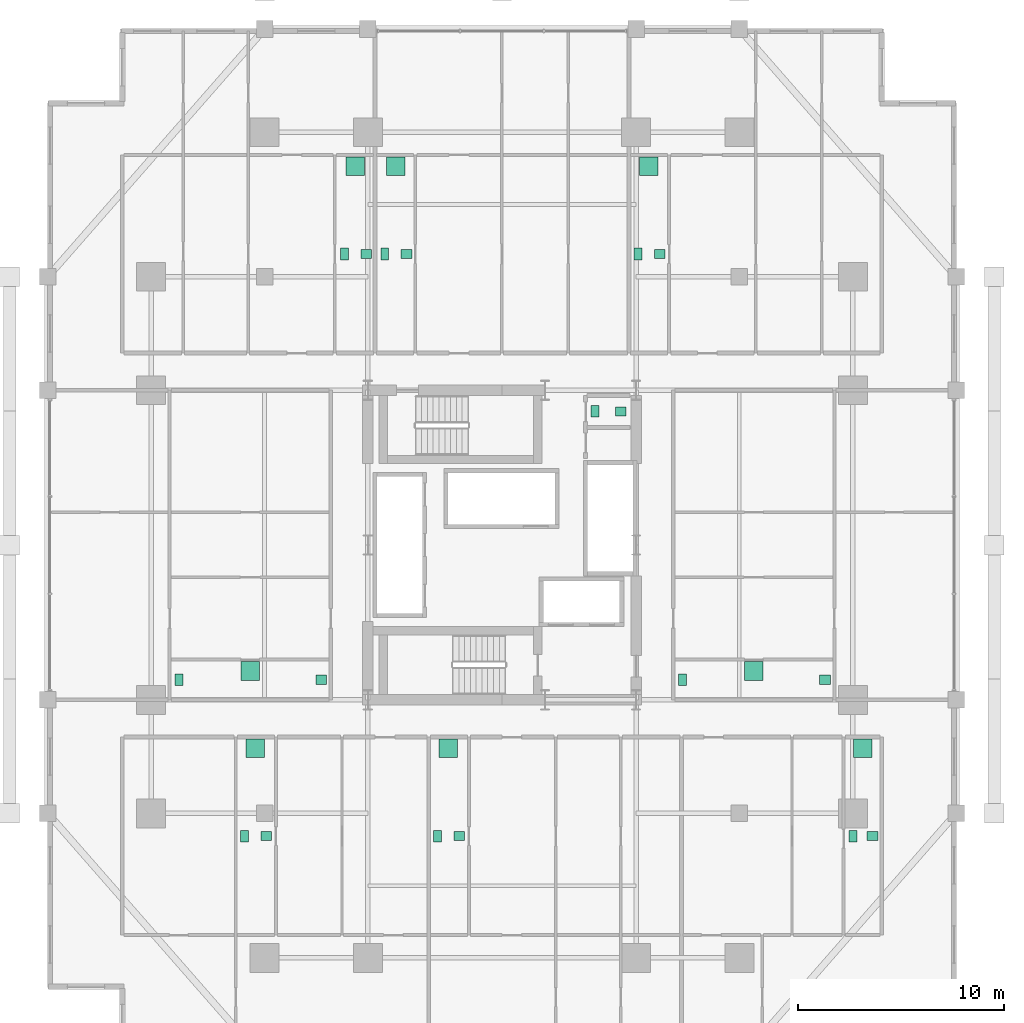
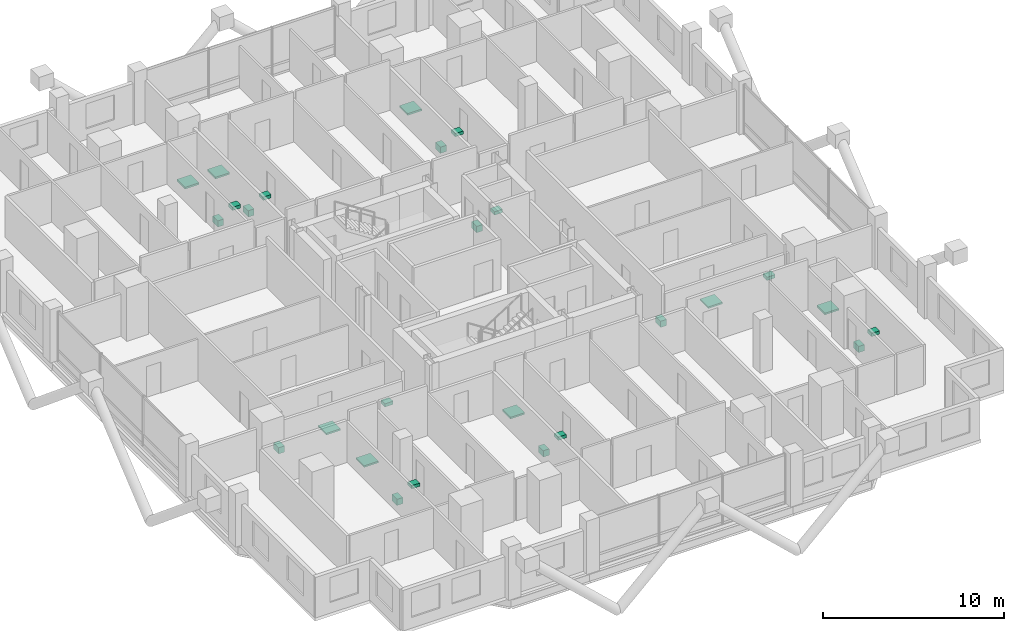
# One storey, part 24 of 24: 26 sanitary terminals.
"""IFC4 building model written with IfcOpenShell, lengths in metres."""

from ifc_helpers import new_model, si_unit, direction, frame, origin, origin_2d, place, context, subcontext, project, spatial, rectangle, extrude, material, type_object, element, save


model = new_model("IFC4")

# Units and contexts
model_context = context("Model", 3, precision=1e-05, world=origin(), true_north=direction((0.0, 1.0)))
body_context = subcontext(model_context, "Body", "Model", "MODEL_VIEW")
ifc_project = project(units=[si_unit("LENGTHUNIT", "METRE"), si_unit("AREAUNIT", "SQUARE_METRE"), si_unit("VOLUMEUNIT", "CUBIC_METRE"), si_unit("PLANEANGLEUNIT", "RADIAN"), si_unit("MASSUNIT", "GRAM", prefix="KILO")], contexts=[model_context])

# Site, building, storey
site_placement = place(None, origin())
site = spatial("IfcSite", under=ifc_project, at=site_placement, CompositionType="ELEMENT")
building_placement = place(site_placement, origin())
building = spatial("IfcBuilding", under=site, at=building_placement, Name="Barlavira Tower and Art Museum", CompositionType="ELEMENT")
storey_placement = place(building_placement, frame((0.0, 0.0, 46.800048828125)))
storey = spatial("IfcBuildingStorey", under=building, at=storey_placement, Name="L10", CompositionType="ELEMENT", Elevation=46.800048828125)

# Sanitary terminals
ifc_material = material(Name="Vitreous glazed ceramic", Category="ceramic")
sanitary_terminal_type_1 = type_object("IfcSanitaryTerminalType", Name="Countertop Ceramic Wash Hand Basin", PredefinedType="WASHHANDBASIN", material=ifc_material)
for number, where, z_axis, x_axis, name in (
    (1, (5.75, 6.47509765625, 0.73974609375), (0.0, 0.0, 1.0), (1.0, 0.0, 0.0), "L10-C-WC1 Wash Basin"),
    (2, (-11.419921875, -14.10009765625, 0.73974609375), (0.0, 0.0, 1.0), (1.0, 0.0, 0.0), "L10-S1-BTH1 Wash Basin"),
    (3, (-2.070068359375, -14.10009765625, 0.73974609375), (0.0, 0.0, 1.0), (1.0, 0.0, 0.0), "L10-S2-BTH1 Wash Basin"),
    (4, (17.949951171875, -14.10009765625, 0.73974609375), (0.0, 0.0, 1.0), (1.0, 0.0, 0.0), "L10-S3-BTH1 Wash Basin"),
    (5, (-6.580078125, 14.10009765625, 0.73974609375), (0.0, 0.0, 1.0), (1.0, 0.0, 0.0), "L10-N1-BTH1 Wash Basin"),
    (6, (-4.6298828125, 14.10009765625, 0.73974609375), (0.0, 0.0, 1.0), (1.0, 0.0, 0.0), "L10-N2-BTH1 Wash Basin"),
    (7, (7.639892578125, 14.10009765625, 0.73974609375), (0.0, 0.0, 1.0), (1.0, 0.0, 0.0), "L10-N3-BTH1 Wash Basin"),
    (8, (-8.75, -6.52490234375, 0.73974609375), (0.0, 0.0, 1.0), (1.0, 0.0, 0.0), "L10-W1-BTH1 Wash Basin"),
    (9, (15.64990234375, -6.52490234375, 0.73974609375), (0.0, 0.0, 1.0), (1.0, 0.0, 0.0), "L10-E1-BTH1 Wash Basin"),
):
    element("IfcSanitaryTerminal", number, at=place(storey_placement, frame(where, z_axis=z_axis, x_axis=x_axis)), inside=storey, type_object=sanitary_terminal_type_1, Name=name, PredefinedType="WASHHANDBASIN", context=body_context, shape_type="SweptSolid", body=[
        extrude(rectangle(XDim=0.52001953125, YDim=0.43994140625, at=origin_2d()), origin(), (0.0, 0.0, 1.0), 0.219970703125),
    ])
sanitary_terminal_type_2 = type_object("IfcSanitaryTerminalType", Name="Walk-In Thermostatic Rain Shower Unit", PredefinedType="SHOWER", material=ifc_material)
for number, where, z_axis, x_axis, name in (
    (10, (-11.945068359375, -9.85009765625, 0.0), (0.0, 0.0, 1.0), (1.0, 0.0, 0.0), "L10-S1-BTH1 Rain Shower"),
    (11, (-2.594970703125, -9.85009765625, 0.0), (0.0, 0.0, 1.0), (1.0, 0.0, 0.0), "L10-S2-BTH1 Rain Shower"),
    (12, (17.47998046875, -9.85009765625, 0.0), (0.0, 0.0, 1.0), (1.0, 0.0, 0.0), "L10-S3-BTH1 Rain Shower"),
    (13, (-7.10498046875, 18.35009765625, 0.0), (0.0, 0.0, 1.0), (1.0, 0.0, 0.0), "L10-N1-BTH1 Rain Shower"),
    (14, (-5.155029296875, 18.35009765625, 0.0), (0.0, 0.0, 1.0), (1.0, 0.0, 0.0), "L10-N2-BTH1 Rain Shower"),
    (15, (7.114990234375, 18.35009765625, 0.0), (0.0, 0.0, 1.0), (1.0, 0.0, 0.0), "L10-N3-BTH1 Rain Shower"),
    (16, (-12.199951171875, -6.10009765625, 0.0), (0.0, 0.0, 1.0), (1.0, 0.0, 0.0), "L10-W1-BTH1 Rain Shower"),
    (17, (12.199951171875, -6.10009765625, 0.0), (0.0, 0.0, 1.0), (1.0, 0.0, 0.0), "L10-E1-BTH1 Rain Shower"),
):
    element("IfcSanitaryTerminal", number, at=place(storey_placement, frame(where, z_axis=z_axis, x_axis=x_axis)), inside=storey, type_object=sanitary_terminal_type_2, Name=name, PredefinedType="SHOWER", context=body_context, shape_type="SweptSolid", body=[
        extrude(rectangle(XDim=0.89990234375, YDim=0.89990234375, at=origin_2d()), origin(), (0.0, 0.0, 1.0), 0.1201171875),
    ])
sanitary_terminal_type_3 = type_object("IfcSanitaryTerminalType", Name="Wall-Hung Dual-Flush Vitreous WC Pan", PredefinedType="TOILETPAN", material=ifc_material)
for number, where, z_axis, x_axis, name in (
    (18, (4.5, 6.47509765625, 0.0), (0.0, 0.0, 1.0), (1.0, 0.0, 0.0), "L10-C-WC1 WC Pan"),
    (19, (-12.469970703125, -14.10009765625, 0.0), (0.0, 0.0, 1.0), (1.0, 0.0, 0.0), "L10-S1-BTH1 WC Pan"),
    (20, (-3.1201171875, -14.10009765625, 0.0), (0.0, 0.0, 1.0), (1.0, 0.0, 0.0), "L10-S2-BTH1 WC Pan"),
    (21, (17.010009765625, -14.10009765625, 0.0), (0.0, 0.0, 1.0), (1.0, 0.0, 0.0), "L10-S3-BTH1 WC Pan"),
    (22, (-7.6298828125, 14.10009765625, 0.0), (0.0, 0.0, 1.0), (1.0, 0.0, 0.0), "L10-N1-BTH1 WC Pan"),
    (23, (-5.679931640625, 14.10009765625, 0.0), (0.0, 0.0, 1.0), (1.0, 0.0, 0.0), "L10-N2-BTH1 WC Pan"),
    (24, (6.590087890625, 14.10009765625, 0.0), (0.0, 0.0, 1.0), (1.0, 0.0, 0.0), "L10-N3-BTH1 WC Pan"),
    (25, (-15.64990234375, -6.52490234375, 0.0), (0.0, 0.0, 1.0), (1.0, 0.0, 0.0), "L10-W1-BTH1 WC Pan"),
    (26, (8.75, -6.52490234375, 0.0), (0.0, 0.0, 1.0), (1.0, 0.0, 0.0), "L10-E1-BTH1 WC Pan"),
):
    element("IfcSanitaryTerminal", number, at=place(storey_placement, frame(where, z_axis=z_axis, x_axis=x_axis)), inside=storey, type_object=sanitary_terminal_type_3, Name=name, PredefinedType="TOILETPAN", context=body_context, shape_type="SweptSolid", body=[
        extrude(rectangle(XDim=0.3798828125, YDim=0.56005859375, at=origin_2d()), origin(), (0.0, 0.0, 1.0), 0.419921875),
    ])

save(model, "model.ifc")
